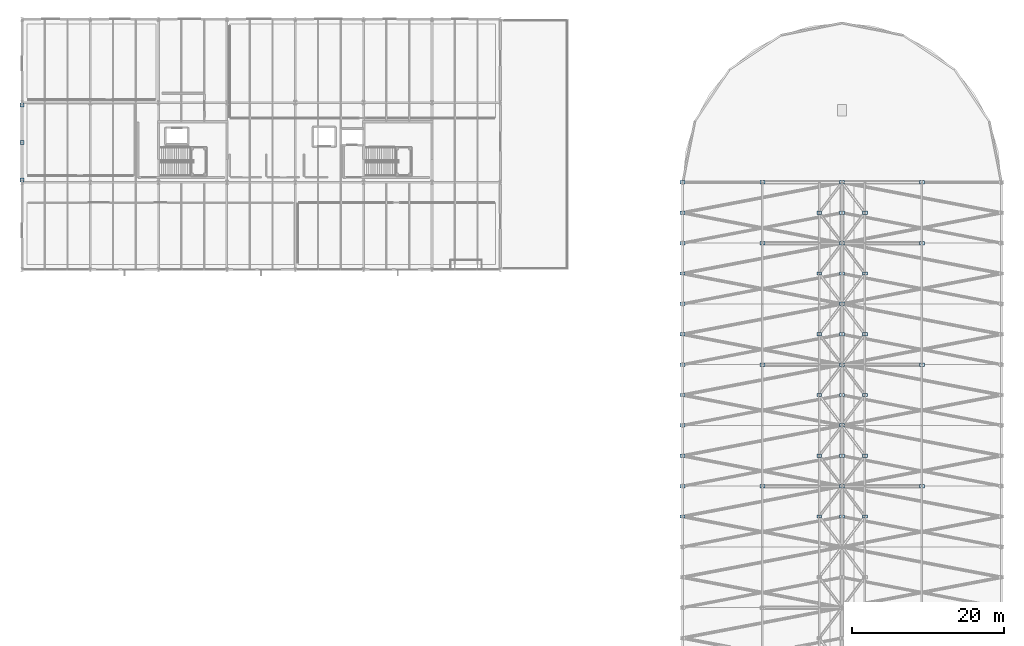
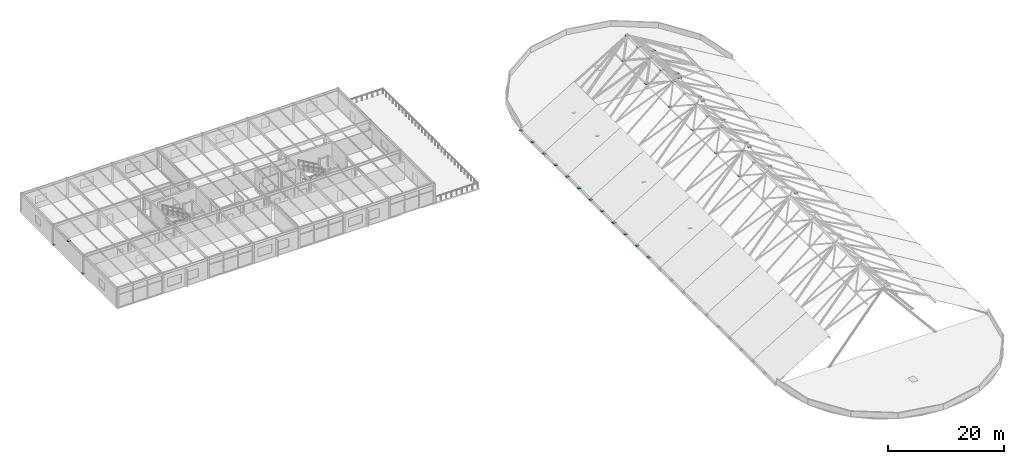
# One storey, part 16 of 44: 47 plates.
"""IFC4 building model written with IfcOpenShell, lengths in metres."""

from ifc_helpers import new_model, si_unit, direction, frame, origin, origin_2d, place, context, subcontext, project, spatial, rectangle, extrude, material, layer, layer_set, type_object, element, save


model = new_model("IFC4")

# Units and contexts
model_context = context("Model", 3, precision=1e-05, world=origin(), true_north=direction((0.0, 1.0)))
body_context = subcontext(model_context, "Body", "Model", "MODEL_VIEW")
ifc_project = project(units=[si_unit("LENGTHUNIT", "METRE"), si_unit("AREAUNIT", "SQUARE_METRE"), si_unit("VOLUMEUNIT", "CUBIC_METRE"), si_unit("PLANEANGLEUNIT", "RADIAN"), si_unit("MASSUNIT", "GRAM", prefix="KILO")], contexts=[model_context])

# Site, building, storey
site_placement = place(None, origin())
site = spatial("IfcSite", under=ifc_project, at=site_placement, CompositionType="ELEMENT")
building_placement = place(site_placement, origin())
building = spatial("IfcBuilding", under=site, at=building_placement, Name="Marlcrest Central Station", CompositionType="ELEMENT")
storey_placement = place(building_placement, frame((0.0, 0.0, 19.5)))
storey = spatial("IfcBuildingStorey", under=building, at=storey_placement, Name="L04", CompositionType="ELEMENT", Elevation=19.5)

# Plates
ifc_material_1 = material(Name="Steel S355", Category="steel")
ifc_layer_1 = layer(ifc_material_1, 0.02001953125, Name="GP-03")
ifc_layer_set_1 = layer_set([ifc_layer_1], Name="Steel S355")
plate_type_1 = type_object("IfcPlateType", Name="GP-03", PredefinedType="USERDEFINED", material=ifc_layer_set_1)
for number, where, z_axis, x_axis, name in (
    (1, (0.0, 110.800048828125, 0.239990234375), (0.0, 0.0, 1.0), (1.0, 0.0, 0.0), "plt-cap-00053"),
    (2, (0.0, 115.75, 4.014892578125), (0.0, 0.0, 1.0), (1.0, 0.0, 0.0), "plt-cap-00054"),
    (3, (0.0, 120.699951171875, 0.239990234375), (0.0, 0.0, 1.0), (1.0, 0.0, 0.0), "plt-cap-00055"),
):
    element("IfcPlate", number, at=place(storey_placement, frame(where, z_axis=z_axis, x_axis=x_axis)), inside=storey, type_object=plate_type_1, Name=name, ObjectType="GUSSET_PLATE", PredefinedType="USERDEFINED", context=body_context, shape_type="SweptSolid", body=[
        extrude(rectangle(XDim=0.5, YDim=0.5, at=origin_2d()), origin(), (0.0, 0.0, 1.0), 0.02001953125),
    ])
ifc_material_2 = material(Name="White intumescent Steel S355", Category="steel")
ifc_layer_2 = layer(ifc_material_2, 0.02392578125, Name="GP-04")
ifc_layer_set_2 = layer_set([ifc_layer_2], Name="White intumescent Steel S355")
plate_type_2 = type_object("IfcPlateType", Name="GP-04", PredefinedType="USERDEFINED", material=ifc_layer_set_2)
for number, where, z_axis, x_axis, name in (
    (4, (97.5, 70.5, -0.011962890625), (0.0, 0.0, 1.0), (1.0, 0.0, 0.0), "plt-cap-01226"),
    (5, (108.0, 70.5, 12.588134765625), (0.0, 0.0, 1.0), (1.0, 0.0, 0.0), "plt-cap-01227"),
    (6, (118.5, 70.5, -0.011962890625), (0.0, 0.0, 1.0), (1.0, 0.0, 0.0), "plt-cap-01228"),
    (7, (97.5, 86.5, -0.011962890625), (0.0, 0.0, 1.0), (1.0, 0.0, 0.0), "plt-cap-01229"),
    (8, (108.0, 86.5, 12.588134765625), (0.0, 0.0, 1.0), (1.0, 0.0, 0.0), "plt-cap-01230"),
    (9, (118.5, 86.5, -0.011962890625), (0.0, 0.0, 1.0), (1.0, 0.0, 0.0), "plt-cap-01231"),
    (10, (97.5, 102.5, -0.011962890625), (0.0, 0.0, 1.0), (1.0, 0.0, 0.0), "plt-cap-01232"),
    (11, (108.0, 102.5, 12.588134765625), (0.0, 0.0, 1.0), (1.0, 0.0, 0.0), "plt-cap-01233"),
    (12, (118.5, 102.5, -0.011962890625), (0.0, 0.0, 1.0), (1.0, 0.0, 0.0), "plt-cap-01234"),
    (13, (97.5, 110.5, -0.011962890625), (0.0, 0.0, 1.0), (1.0, 0.0, 0.0), "plt-cap-01235"),
    (14, (108.0, 110.5, 12.588134765625), (0.0, 0.0, 1.0), (1.0, 0.0, 0.0), "plt-cap-01236"),
    (15, (118.5, 110.5, -0.011962890625), (0.0, 0.0, 1.0), (1.0, 0.0, 0.0), "plt-cap-01237"),
    (16, (105.0, 66.5, 10.7880859375), (0.0, 0.0, 1.0), (1.0, 0.0, 0.0), "plt-cap-01300"),
    (17, (111.0, 66.5, 10.7880859375), (0.0, 0.0, 1.0), (1.0, 0.0, 0.0), "plt-cap-01301"),
    (18, (87.0, 66.5, -0.011962890625), (0.0, 0.0, 1.0), (1.0, 0.0, 0.0), "plt-cap-01302"),
    (19, (108.0, 66.5, 12.588134765625), (0.0, 0.0, 1.0), (1.0, 0.0, 0.0), "plt-cap-01303"),
    (20, (105.0, 74.5, 10.7880859375), (0.0, 0.0, 1.0), (1.0, 0.0, 0.0), "plt-cap-01312"),
    (21, (108.0, 78.5, 12.588134765625), (0.0, 0.0, 1.0), (1.0, 0.0, 0.0), "plt-cap-01313"),
    (22, (111.0, 74.5, 10.7880859375), (0.0, 0.0, 1.0), (1.0, 0.0, 0.0), "plt-cap-01314"),
    (23, (87.0, 74.5, -0.011962890625), (0.0, 0.0, 1.0), (1.0, 0.0, 0.0), "plt-cap-01315"),
    (24, (108.0, 74.5, 12.588134765625), (0.0, 0.0, 1.0), (1.0, 0.0, 0.0), "plt-cap-01316"),
    (25, (87.0, 70.5, -0.011962890625), (0.0, 0.0, 1.0), (1.0, 0.0, 0.0), "plt-cap-01317"),
    (26, (105.0, 82.5, 10.7880859375), (0.0, 0.0, 1.0), (1.0, 0.0, 0.0), "plt-cap-01325"),
    (27, (111.0, 82.5, 10.7880859375), (0.0, 0.0, 1.0), (1.0, 0.0, 0.0), "plt-cap-01326"),
    (28, (87.0, 82.5, -0.011962890625), (0.0, 0.0, 1.0), (1.0, 0.0, 0.0), "plt-cap-01327"),
    (29, (108.0, 82.5, 12.588134765625), (0.0, 0.0, 1.0), (1.0, 0.0, 0.0), "plt-cap-01328"),
    (30, (87.0, 78.5, -0.011962890625), (0.0, 0.0, 1.0), (1.0, 0.0, 0.0), "plt-cap-01329"),
    (31, (105.0, 90.5, 10.7880859375), (0.0, 0.0, 1.0), (1.0, 0.0, 0.0), "plt-cap-01337"),
    (32, (108.0, 94.5, 12.588134765625), (0.0, 0.0, 1.0), (1.0, 0.0, 0.0), "plt-cap-01338"),
    (33, (111.0, 90.5, 10.7880859375), (0.0, 0.0, 1.0), (1.0, 0.0, 0.0), "plt-cap-01339"),
    (34, (87.0, 90.5, -0.011962890625), (0.0, 0.0, 1.0), (1.0, 0.0, 0.0), "plt-cap-01340"),
    (35, (108.0, 90.5, 12.588134765625), (0.0, 0.0, 1.0), (1.0, 0.0, 0.0), "plt-cap-01341"),
    (36, (87.0, 86.5, -0.011962890625), (0.0, 0.0, 1.0), (1.0, 0.0, 0.0), "plt-cap-01342"),
    (37, (105.0, 98.5, 10.7880859375), (0.0, 0.0, 1.0), (1.0, 0.0, 0.0), "plt-cap-01350"),
    (38, (111.0, 98.5, 10.7880859375), (0.0, 0.0, 1.0), (1.0, 0.0, 0.0), "plt-cap-01351"),
    (39, (87.0, 98.5, -0.011962890625), (0.0, 0.0, 1.0), (1.0, 0.0, 0.0), "plt-cap-01352"),
    (40, (108.0, 98.5, 12.588134765625), (0.0, 0.0, 1.0), (1.0, 0.0, 0.0), "plt-cap-01353"),
    (41, (87.0, 94.5, -0.011962890625), (0.0, 0.0, 1.0), (1.0, 0.0, 0.0), "plt-cap-01354"),
    (42, (105.0, 106.5, 10.7880859375), (0.0, 0.0, 1.0), (1.0, 0.0, 0.0), "plt-cap-01362"),
    (43, (111.0, 106.5, 10.7880859375), (0.0, 0.0, 1.0), (1.0, 0.0, 0.0), "plt-cap-01363"),
    (44, (87.0, 106.5, -0.011962890625), (0.0, 0.0, 1.0), (1.0, 0.0, 0.0), "plt-cap-01364"),
    (45, (108.0, 106.5, 12.588134765625), (0.0, 0.0, 1.0), (1.0, 0.0, 0.0), "plt-cap-01365"),
    (46, (87.0, 102.5, -0.011962890625), (0.0, 0.0, 1.0), (1.0, 0.0, 0.0), "plt-cap-01366"),
    (47, (87.0, 110.5, -0.011962890625), (0.0, 0.0, 1.0), (1.0, 0.0, 0.0), "plt-cap-01374"),
):
    element("IfcPlate", number, at=place(storey_placement, frame(where, z_axis=z_axis, x_axis=x_axis)), inside=storey, type_object=plate_type_2, Name=name, ObjectType="GUSSET_PLATE", PredefinedType="USERDEFINED", context=body_context, shape_type="SweptSolid", body=[
        extrude(rectangle(XDim=0.64990234375, YDim=0.449951171875, at=origin_2d()), origin(), (0.0, 0.0, 1.0), 0.02392578125),
    ])

save(model, "model.ifc")
